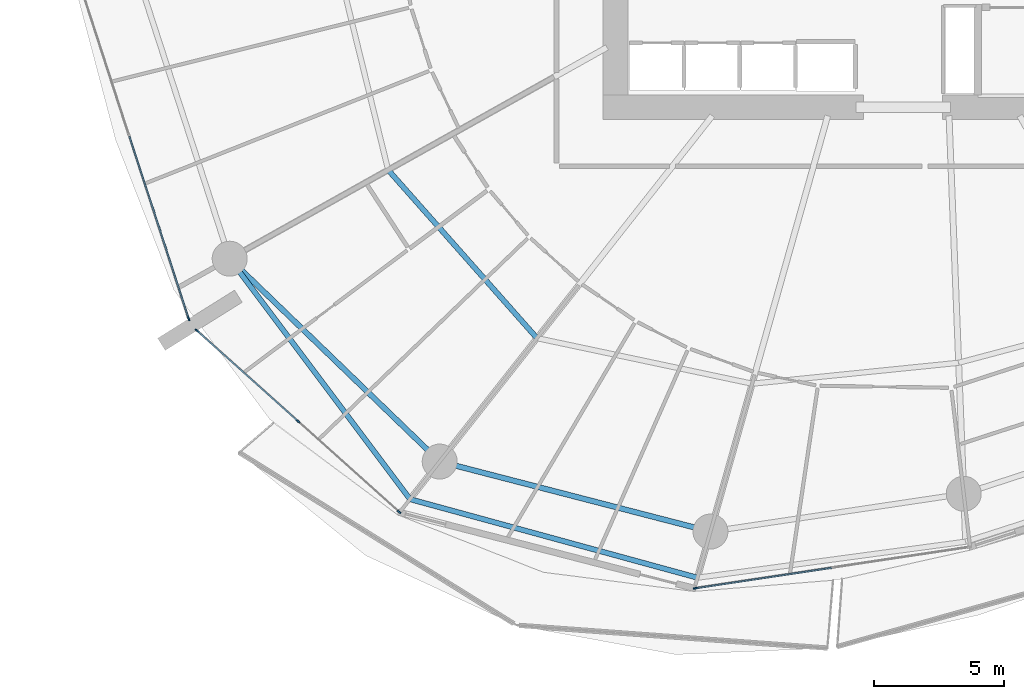
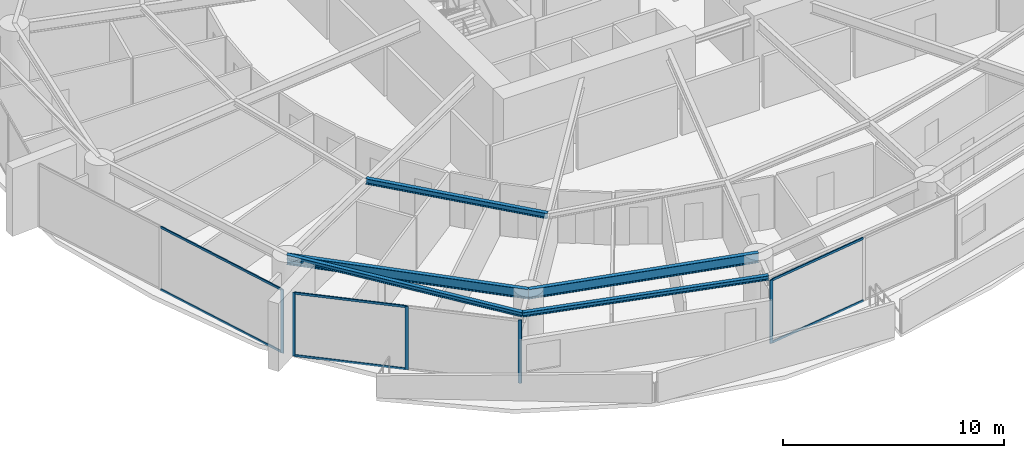
# One storey, part 7 of 31: 11 members, 5 beams, 3 elements without a shape of their own.
"""IFC4 building model written with IfcOpenShell, lengths in metres."""

import ifcopenshell
import ifcopenshell.guid

model = None  # the IFC model being written
_history = None  # IfcOwnerHistory: only IFC2X3 demands one
_inside = {}  # id of a spatial element -> (the spatial element, [elements in it])
_under = {}  # id of a project, library or spatial element -> (it, [spatial elements below it])
_declared = {}  # id of a project -> (the project, [libraries it declares])
_typed = {}  # id of a type object -> (the type object, [elements of that type])
_made_of = {}  # id of a material, layer set ... -> (it, [elements and type objects made of it])


def new_model(schema):
    """Start an empty IFC model of exactly this schema.

    Asked for "IFC4X3", IfcOpenShell would pick the latest addendum, in which some entities
    have other attributes; the version numbers below select the first issue.
    IFC2X3 requires an IfcOwnerHistory on every rooted entity: one is made here for all.
    """
    global model, _history
    if schema == "IFC4X3":
        model = ifcopenshell.file(schema_version=(4, 3, 0, 0))
    else:
        model = ifcopenshell.file(schema=schema)
    _inside.clear()
    _under.clear()
    _declared.clear()
    _typed.clear()
    _made_of.clear()
    _history = None
    if model.schema == "IFC2X3":
        org = make("IfcOrganization", Name="unknown")
        user = make(
            "IfcPersonAndOrganization",
            ThePerson=make("IfcPerson", FamilyName="unknown"),
            TheOrganization=org,
        )
        app = make(
            "IfcApplication",
            ApplicationDeveloper=org,
            Version="unknown",
            ApplicationFullName="unknown",
            ApplicationIdentifier="unknown",
        )
        _history = make(
            "IfcOwnerHistory",
            OwningUser=user,
            OwningApplication=app,
            ChangeAction="ADDED",
            CreationDate=0,
        )
    return model


def make(cls, **values):
    """One entity of the class cls with the attributes given. An attribute that is None is left unset."""
    return model.create_entity(
        cls, **{name: value for name, value in values.items() if value is not None}
    )


def rooted(cls, **values):
    """An entity with a GlobalId (a new one), such as an element, a storey or a relation."""
    return make(cls, GlobalId=ifcopenshell.guid.new(), OwnerHistory=_history, **values)


def si_unit(unit_type, name, prefix=None):
    """IfcSIUnit, for example si_unit("LENGTHUNIT", "METRE", prefix="MILLI")."""
    return make("IfcSIUnit", UnitType=unit_type, Prefix=prefix, Name=name)


def assignment(units):
    """IfcUnitAssignment: the units of a project."""
    return None if units is None else make("IfcUnitAssignment", Units=units)


def point(xyz):
    """IfcCartesianPoint."""
    return None if xyz is None else make("IfcCartesianPoint", Coordinates=xyz)


def direction(xyz):
    """IfcDirection."""
    return None if xyz is None else make("IfcDirection", DirectionRatios=xyz)


def frame(location, z_axis=None, x_axis=None):
    """IfcAxis2Placement3D, a coordinate frame: its origin and axes. An axis left out is left unset."""
    return make(
        "IfcAxis2Placement3D",
        Location=point(location),
        Axis=direction(z_axis),
        RefDirection=direction(x_axis),
    )


def frame_2d(location, x_axis=None):
    """IfcAxis2Placement2D, a coordinate frame in the plane: its origin and x axis."""
    return make(
        "IfcAxis2Placement2D", Location=point(location), RefDirection=direction(x_axis)
    )


def origin():
    """The frame at (0, 0, 0) with its axes left unset."""
    return frame((0.0, 0.0, 0.0))


def origin_2d():
    """The frame at (0, 0) in the plane with its x axis left unset."""
    return frame_2d((0.0, 0.0))


def place(relative_to, where):
    """IfcLocalPlacement: puts the frame where relative to a parent placement (None: the world)."""
    return make(
        "IfcLocalPlacement", PlacementRelTo=relative_to, RelativePlacement=where
    )


def context(
    kind, dimensions, precision=None, world=None, true_north=None, identifier=None
):
    """IfcGeometricRepresentationContext, for example the 3D "Model" context."""
    return make(
        "IfcGeometricRepresentationContext",
        ContextIdentifier=identifier,
        ContextType=kind,
        CoordinateSpaceDimension=dimensions,
        Precision=precision,
        WorldCoordinateSystem=world,
        TrueNorth=true_north,
    )


def subcontext(parent, identifier, kind, view, scale=None):
    """IfcGeometricRepresentationSubContext, for example "Body" below "Model"."""
    return make(
        "IfcGeometricRepresentationSubContext",
        ContextIdentifier=identifier,
        ContextType=kind,
        ParentContext=parent,
        TargetScale=scale,
        TargetView=view,
    )


def project(units=None, contexts=None):
    """IfcProject with its units and contexts."""
    return rooted(
        "IfcProject",
        Name="project",
        RepresentationContexts=contexts,
        UnitsInContext=assignment(units),
    )


def spatial(cls, under=None, at=None, **own):
    """A site, building, storey or space (cls), placed at a placement, below another one or the project."""
    s = rooted(cls, ObjectPlacement=at, **own)
    if under is not None:
        _under.setdefault(under.id(), (under, []))[1].append(s)
    return s


def profile(cls, at=None, kind="AREA", **sizes):
    """A parametric profile (cls). Its sizes go by their IFC names, for example OverallWidth=200.0."""
    return make(cls, ProfileType=kind, Position=at, **sizes)


def rectangle(**sizes):
    """IfcRectangleProfileDef."""
    return profile("IfcRectangleProfileDef", **sizes)


def i_section(**sizes):
    """IfcIShapeProfileDef."""
    return profile("IfcIShapeProfileDef", **sizes)


def extrude(swept, where, along, depth):
    """IfcExtrudedAreaSolid: the profile swept, set in the frame where, extruded along a direction by depth."""
    return make(
        "IfcExtrudedAreaSolid",
        SweptArea=swept,
        Position=where,
        ExtrudedDirection=direction(along),
        Depth=depth,
    )


def shape(context_of_items, identifier, shape_type, items):
    """IfcShapeRepresentation: the items that make up one representation, for example the "Body"."""
    return make(
        "IfcShapeRepresentation",
        ContextOfItems=context_of_items,
        RepresentationIdentifier=identifier,
        RepresentationType=shape_type,
        Items=items,
    )


def material(Name=None, Category=None):
    """IfcMaterial."""
    return make("IfcMaterial", Name=Name, Category=Category)


def layer(
    of_material, thickness, ventilated=None, Name=None, Category=None, Priority=None
):
    """IfcMaterialLayer: one layer of a wall or slab, of a material (None: an air gap)."""
    return make(
        "IfcMaterialLayer",
        Material=of_material,
        LayerThickness=thickness,
        IsVentilated=ventilated,
        Name=Name,
        Category=Category,
        Priority=Priority,
    )


def layer_set(layers, Name=None):
    """IfcMaterialLayerSet."""
    return make("IfcMaterialLayerSet", MaterialLayers=layers, LayerSetName=Name)


def material_profile(
    of_material, cross_section, Name=None, Category=None, Priority=None
):
    """IfcMaterialProfile: a cross section and its material."""
    return make(
        "IfcMaterialProfile",
        Name=Name,
        Material=of_material,
        Profile=cross_section,
        Priority=Priority,
        Category=Category,
    )


def profile_set(profiles, Name=None, composite=None):
    """IfcMaterialProfileSet."""
    return make(
        "IfcMaterialProfileSet",
        Name=Name,
        MaterialProfiles=profiles,
        CompositeProfile=composite,
    )


def made_of(thing, what):
    """Note that an element or type object is made of a material, layer set ...; save() writes the relation."""
    if what is not None:
        _made_of.setdefault(what.id(), (what, []))[1].append(thing)
    return thing


def type_object(cls, material=None, **own):
    """A type object (cls), such as IfcWallType, which elements share."""
    return made_of(rooted(cls, **own), material)


def element(
    cls,
    number,
    at=None,
    inside=None,
    cuts=None,
    type_object=None,
    material=None,
    context=None,
    identifier="Body",
    shape_type=None,
    held_by="IfcProductDefinitionShape",
    body=None,
    shapes=None,
    **own,
):
    """One element of the class cls, such as IfcWall. Its Tag is "e" and its number.

    at: its placement. inside: the storey or other place that contains it. cuts: it is an
    opening in that element (IfcRelVoidsElement). A single representation is given by context,
    identifier, shape_type and body (its items); several are given by shapes. held_by: the class
    of the entity that holds the representations. save() writes the other relations.
    """
    e = rooted(cls, Tag="e%d" % number, ObjectPlacement=at, **own)
    if body is not None:
        shapes = [shape(context, identifier, shape_type, body)]
    if shapes is not None:
        e.Representation = make(held_by, Representations=shapes)
    if inside is not None:
        _inside.setdefault(inside.id(), (inside, []))[1].append(e)
    if cuts is not None:
        rooted(
            "IfcRelVoidsElement", RelatingBuildingElement=cuts, RelatedOpeningElement=e
        )
    if type_object is not None:
        _typed.setdefault(type_object.id(), (type_object, []))[1].append(e)
    return made_of(e, material)


def aggregate(whole, parts):
    """IfcRelAggregates: a whole, such as a stair, and the parts it consists of."""
    return rooted("IfcRelAggregates", RelatingObject=whole, RelatedObjects=parts)


def save(model, path):
    """Write the relations noted so far, then the file.

    IfcRelAggregates (storeys below a building ...), IfcRelContainedInSpatialStructure (elements
    in a storey), IfcRelDefinesByType, IfcRelAssociatesMaterial and IfcRelDeclares: one each for
    every whole, place, type object, material and project.
    """
    for whole, parts in _under.values():
        aggregate(whole, parts)
    for where, things in _inside.values():
        rooted(
            "IfcRelContainedInSpatialStructure",
            RelatedElements=things,
            RelatingStructure=where,
        )
    for kind, things in _typed.values():
        rooted("IfcRelDefinesByType", RelatedObjects=things, RelatingType=kind)
    for what, things in _made_of.values():
        rooted("IfcRelAssociatesMaterial", RelatedObjects=things, RelatingMaterial=what)
    for by, libraries in _declared.values():
        rooted("IfcRelDeclares", RelatingContext=by, RelatedDefinitions=libraries)
    model.write(path)


model = new_model("IFC4")

# Units and contexts
model_context = context("Model", 3, precision=1e-05, world=origin(), true_north=direction((0.0, 1.0)))
body_context = subcontext(model_context, "Body", "Model", "MODEL_VIEW")
ifc_project = project(units=[si_unit("LENGTHUNIT", "METRE"), si_unit("AREAUNIT", "SQUARE_METRE"), si_unit("VOLUMEUNIT", "CUBIC_METRE"), si_unit("PLANEANGLEUNIT", "RADIAN"), si_unit("MASSUNIT", "GRAM", prefix="KILO")], contexts=[model_context])

# Site, building, storey
site_placement = place(None, origin())
site = spatial("IfcSite", under=ifc_project, at=site_placement, CompositionType="ELEMENT")
building_placement = place(site_placement, origin())
building = spatial("IfcBuilding", under=site, at=building_placement, Name="Kazma Halo Residences", CompositionType="ELEMENT")
storey_placement = place(building_placement, frame((0.0, 0.0, 48.89990234375)))
storey = spatial("IfcBuildingStorey", under=building, at=storey_placement, Name="L11", CompositionType="ELEMENT", Elevation=48.89990234375)

# Beams
ifc_material_1 = material(Name="Steel S355", Category="steel")
ifc_material_profile_1 = material_profile(ifc_material_1, i_section(OverallWidth=0.201904296875, OverallDepth=0.2470703125, WebThickness=0.00732421875, FlangeThickness=0.010986328125, FilletRadius=0.011962890625, at=origin_2d()), Name="W250x49.1")
ifc_profile_set_1 = profile_set([ifc_material_profile_1], Name="Steel S355")
beam_type_1 = type_object("IfcBeamType", Name="BM-BAL-CANT", PredefinedType="BEAM", material=ifc_profile_set_1)
beam_1_placement = place(storey_placement, frame((22.43505859375, 27.682861328125, 3.376708984375), z_axis=(0.600026935007, -0.799979798037, 0.0), x_axis=(0.799979798037, 0.600026935007, 0.0)))
element("IfcBeam", 1, at=beam_1_placement, inside=storey, type_object=beam_type_1, Name="L11 wave-balcony lead tie beam 09", PredefinedType="BEAM", context=body_context, shape_type="SweptSolid", body=[
    extrude(i_section(OverallWidth=0.201904296875, OverallDepth=0.2470703125, WebThickness=0.00732421875, FlangeThickness=0.010986328125, FilletRadius=0.011962890625, at=origin_2d()), origin(), (0.0, 0.0, 1.0), 11.601806640625),
])
beam_2_placement = place(storey_placement, frame((29.396484375, 18.401611328125, 3.376708984375), z_axis=(0.964628474934, -0.263613173697, 0.0), x_axis=(0.263613173697, 0.964628474934, 0.0)))
element("IfcBeam", 2, at=beam_2_placement, inside=storey, type_object=beam_type_1, Name="L11 wave-balcony tie beam 10", PredefinedType="BEAM", context=body_context, shape_type="SweptSolid", body=[
    extrude(i_section(OverallWidth=0.201904296875, OverallDepth=0.2470703125, WebThickness=0.00732421875, FlangeThickness=0.010986328125, FilletRadius=0.011962890625, at=origin_2d()), origin(), (0.0, 0.0, 1.0), 11.499755859375),
])
ifc_material_profile_2 = material_profile(ifc_material_1, i_section(OverallWidth=0.202880859375, OverallDepth=0.302978515625, WebThickness=0.007568359375, FlangeThickness=0.01318359375, FilletRadius=0.013916015625, at=origin_2d()), Name="W310x60")
ifc_profile_set_2 = profile_set([ifc_material_profile_2], Name="Steel S355")
beam_type_2 = type_object("IfcBeamType", Name="BM-SEC-W310A", PredefinedType="JOIST", material=ifc_profile_set_2)
beam_3_placement = place(storey_placement, frame((28.55224609375, 31.10888671875, 3.3486328125), z_axis=(0.662640120169, -0.748937962146, 0.0), x_axis=(0.748937962146, 0.662640120169, 0.0)))
element("IfcBeam", 3, at=beam_3_placement, inside=storey, type_object=beam_type_2, Name="L11 circumferential floor joist 09", PredefinedType="JOIST", context=body_context, shape_type="SweptSolid", body=[
    extrude(i_section(OverallWidth=0.202880859375, OverallDepth=0.302978515625, WebThickness=0.007568359375, FlangeThickness=0.01318359375, FilletRadius=0.013916015625, at=origin_2d()), origin(), (0.0, 0.0, 1.0), 8.668212890625),
])
ifc_material_profile_3 = material_profile(ifc_material_1, i_section(OverallWidth=0.208984375, OverallDepth=0.532958984375, WebThickness=0.01025390625, FlangeThickness=0.015625, FilletRadius=0.01611328125, at=origin_2d()), Name="W530x92")
ifc_profile_set_3 = profile_set([ifc_material_profile_3], Name="Steel S355")
beam_type_3 = type_object("IfcBeamType", Name="BM-SPN-W530", PredefinedType="BEAM", material=ifc_profile_set_3)
beam_4_placement = place(storey_placement, frame((22.43505859375, 27.682861328125, 3.233642578125), z_axis=(0.719336506967, -0.694661780829, 0.0), x_axis=(0.694661780829, 0.719336506967, 0.0)))
element("IfcBeam", 4, at=beam_4_placement, inside=storey, type_object=beam_type_3, Name="L11 perimeter ring beam 09", PredefinedType="BEAM", context=body_context, shape_type="SweptSolid", body=[
    extrude(i_section(OverallWidth=0.208984375, OverallDepth=0.532958984375, WebThickness=0.01025390625, FlangeThickness=0.015625, FilletRadius=0.01611328125, at=origin_2d()), origin(), (0.0, 0.0, 1.0), 11.269775390625),
])
beam_5_placement = place(storey_placement, frame((30.541748046875, 19.854248046875, 3.233642578125), z_axis=(0.968123558238, -0.250473104313, 0.0), x_axis=(0.250473104313, 0.968123558238, 0.0)))
element("IfcBeam", 5, at=beam_5_placement, inside=storey, type_object=beam_type_3, Name="L11 perimeter ring beam 10", PredefinedType="BEAM", context=body_context, shape_type="SweptSolid", body=[
    extrude(i_section(OverallWidth=0.208984375, OverallDepth=0.532958984375, WebThickness=0.01025390625, FlangeThickness=0.015625, FilletRadius=0.01611328125, at=origin_2d()), origin(), (0.0, 0.0, 1.0), 10.7939453125),
])

# Curtain wall, member
ifc_material_2 = material(Name="Aluminium AW-6063 T6 and Triple-Silver Low-E Glass", Category="aluminium")
ifc_layer = layer(ifc_material_2, 0.159912109375)
ifc_layer_set = layer_set([ifc_layer], Name="Aluminium AW-6063 T6 and Triple-Silver Low-E Glass")
curtain_wall_type = type_object("IfcCurtainWallType", Name="CW-SYS-2", PredefinedType="NOTDEFINED", material=ifc_layer_set)
curtain_wall_1_placement = place(storey_placement, origin())
curtain_wall_1 = element("IfcCurtainWall", 6, at=curtain_wall_1_placement, inside=storey, type_object=curtain_wall_type, Name="L11 unitised curtain wall B08", PredefinedType="NOTDEFINED")
ifc_material_3 = material(Name="Aluminium AW-6063 T6", Category="aluminium")
ifc_material_profile_4 = material_profile(ifc_material_3, rectangle(XDim=0.06005859375, YDim=0.159912109375, at=origin_2d()), Name="CWM-60x160")
ifc_profile_set_4 = profile_set([ifc_material_profile_4], Name="Aluminium AW-6063 T6")
member_type_1 = type_object("IfcMemberType", Name="CW-SYS-2-MUL", PredefinedType="MULLION", material=ifc_profile_set_4)
member_1_placement = place(storey_placement, frame((20.854248046875, 25.36669921875, 0.0), z_axis=(0.0, 0.0, 1.0), x_axis=(0.95105652404, 0.309016970539, 0.0)))
member_1 = element("IfcMember", 7, at=member_1_placement, type_object=member_type_1, Name="CWS-2 mullion 3", PredefinedType="MULLION", context=body_context, shape_type="SweptSolid", body=[
    extrude(rectangle(XDim=0.06005859375, YDim=0.159912109375, at=origin_2d()), origin(), (0.0, 0.0, 1.0), 3.5),
])

# Curtain wall, members
curtain_wall_2_placement = place(storey_placement, origin())
curtain_wall_2 = element("IfcCurtainWall", 8, at=curtain_wall_2_placement, inside=storey, type_object=curtain_wall_type, Name="L11 unitised curtain wall B09", PredefinedType="NOTDEFINED")
member_2_placement = place(storey_placement, frame((21.17333984375, 24.908203125, 0.0), z_axis=(0.0, 0.0, 1.0), x_axis=(0.667821453854, 0.744321506993, 0.0)))
member_2 = element("IfcMember", 9, at=member_2_placement, type_object=member_type_1, Name="CWS-2 mullion 1", PredefinedType="MULLION", context=body_context, shape_type="SweptSolid", body=[
    extrude(rectangle(XDim=0.06005859375, YDim=0.159912109375, at=origin_2d()), origin(), (0.0, 0.0, 1.0), 3.5),
])
member_3_placement = place(storey_placement, frame((25.07275390625, 21.409912109375, 0.0), z_axis=(0.0, 0.0, 1.0), x_axis=(0.667821453854, 0.744321506993, 0.0)))
member_3 = element("IfcMember", 10, at=member_3_placement, type_object=member_type_1, Name="CWS-2 mullion 2", PredefinedType="MULLION", context=body_context, shape_type="SweptSolid", body=[
    extrude(rectangle(XDim=0.06005859375, YDim=0.159912109375, at=origin_2d()), origin(), (0.0, 0.0, 1.0), 3.5),
])
member_4_placement = place(storey_placement, frame((28.971923828125, 17.911376953125, 0.0), z_axis=(0.0, 0.0, 1.0), x_axis=(0.667821453854, 0.744321506993, 0.0)))
member_4 = element("IfcMember", 11, at=member_4_placement, type_object=member_type_1, Name="CWS-2 mullion 3", PredefinedType="MULLION", context=body_context, shape_type="SweptSolid", body=[
    extrude(rectangle(XDim=0.06005859375, YDim=0.159912109375, at=origin_2d()), origin(), (0.0, 0.0, 1.0), 3.5),
])

# Curtain wall, member
curtain_wall_3_placement = place(storey_placement, origin())
curtain_wall_3 = element("IfcCurtainWall", 12, at=curtain_wall_3_placement, inside=storey, type_object=curtain_wall_type, Name="L11 unitised curtain wall B11", PredefinedType="NOTDEFINED")
member_5_placement = place(storey_placement, frame((40.403076171875, 14.962158203125, 0.0), z_axis=(0.0, 0.0, 1.0), x_axis=(-0.148657272805, 0.988888777994, 0.0)))
member_5 = element("IfcMember", 13, at=member_5_placement, type_object=member_type_1, Name="CWS-2 mullion 1", PredefinedType="MULLION", context=body_context, shape_type="SweptSolid", body=[
    extrude(rectangle(XDim=0.06005859375, YDim=0.159912109375, at=origin_2d()), origin(), (0.0, 0.0, 1.0), 3.5),
])

# Member
ifc_material_profile_5 = material_profile(ifc_material_3, rectangle(XDim=0.06005859375, YDim=0.1201171875, at=origin_2d()), Name="CWT-60x120")
ifc_profile_set_5 = profile_set([ifc_material_profile_5], Name="Aluminium AW-6063 T6")
member_type_2 = type_object("IfcMemberType", Name="CW-SYS-2-TRN", PredefinedType="USERDEFINED", material=ifc_profile_set_5)
member_6_placement = place(storey_placement, frame((18.5673828125, 32.4052734375, 0.030029296875), z_axis=(0.309004433966, -0.951060597328, 0.0), x_axis=(0.951060597328, 0.309004433966, 0.0)))
member_6 = element("IfcMember", 14, at=member_6_placement, type_object=member_type_2, Name="CWS-2 transom 2.1", ObjectType="TRANSOM", PredefinedType="USERDEFINED", context=body_context, shape_type="SweptSolid", body=[
    extrude(rectangle(XDim=0.06005859375, YDim=0.1201171875, at=origin_2d()), origin(), (0.0, 0.0, 1.0), 7.370849609375),
])

member_7_placement = place(storey_placement, frame((18.5673828125, 32.4052734375, 3.47021484375), z_axis=(0.309004433966, -0.951060597328, 0.0), x_axis=(0.951060597328, 0.309004433966, 0.0)))
member_7 = element("IfcMember", 15, at=member_7_placement, type_object=member_type_2, Name="CWS-2 transom 2.2", ObjectType="TRANSOM", PredefinedType="USERDEFINED", context=body_context, shape_type="SweptSolid", body=[
    extrude(rectangle(XDim=0.06005859375, YDim=0.1201171875, at=origin_2d()), origin(), (0.0, 0.0, 1.0), 7.370849609375),
])

aggregate(curtain_wall_1, [member_1, member_6, member_7])

member_8_placement = place(storey_placement, frame((21.19580078125, 24.88818359375, 0.030029296875), z_axis=(0.744329408538, -0.66781264707, 0.0), x_axis=(0.66781264707, 0.744329408538, 0.0)))
member_8 = element("IfcMember", 16, at=member_8_placement, type_object=member_type_2, Name="CWS-2 transom 1.1", ObjectType="TRANSOM", PredefinedType="USERDEFINED", context=body_context, shape_type="SweptSolid", body=[
    extrude(rectangle(XDim=0.06005859375, YDim=0.1201171875, at=origin_2d()), origin(), (0.0, 0.0, 1.0), 5.178466796875),
])

member_9_placement = place(storey_placement, frame((21.19580078125, 24.88818359375, 3.47021484375), z_axis=(0.744329408538, -0.66781264707, 0.0), x_axis=(0.66781264707, 0.744329408538, 0.0)))
member_9 = element("IfcMember", 17, at=member_9_placement, type_object=member_type_2, Name="CWS-2 transom 1.2", ObjectType="TRANSOM", PredefinedType="USERDEFINED", context=body_context, shape_type="SweptSolid", body=[
    extrude(rectangle(XDim=0.06005859375, YDim=0.1201171875, at=origin_2d()), origin(), (0.0, 0.0, 1.0), 5.178466796875),
])

aggregate(curtain_wall_2, [member_2, member_3, member_4, member_8, member_9])

member_10_placement = place(storey_placement, frame((40.4326171875, 14.966796875, 0.030029296875), z_axis=(0.988890934274, 0.148642928222, 0.0), x_axis=(-0.148642928222, 0.988890934274, 0.0)))
member_10 = element("IfcMember", 18, at=member_10_placement, type_object=member_type_2, Name="CWS-2 transom 1.1", ObjectType="TRANSOM", PredefinedType="USERDEFINED", context=body_context, shape_type="SweptSolid", body=[
    extrude(rectangle(XDim=0.06005859375, YDim=0.1201171875, at=origin_2d()), origin(), (0.0, 0.0, 1.0), 5.288818359375),
])

member_11_placement = place(storey_placement, frame((40.4326171875, 14.966796875, 3.47021484375), z_axis=(0.988890934274, 0.148642928222, 0.0), x_axis=(-0.148642928222, 0.988890934274, 0.0)))
member_11 = element("IfcMember", 19, at=member_11_placement, type_object=member_type_2, Name="CWS-2 transom 1.2", ObjectType="TRANSOM", PredefinedType="USERDEFINED", context=body_context, shape_type="SweptSolid", body=[
    extrude(rectangle(XDim=0.06005859375, YDim=0.1201171875, at=origin_2d()), origin(), (0.0, 0.0, 1.0), 5.288818359375),
])

aggregate(curtain_wall_3, [member_5, member_10, member_11])

save(model, "model.ifc")
